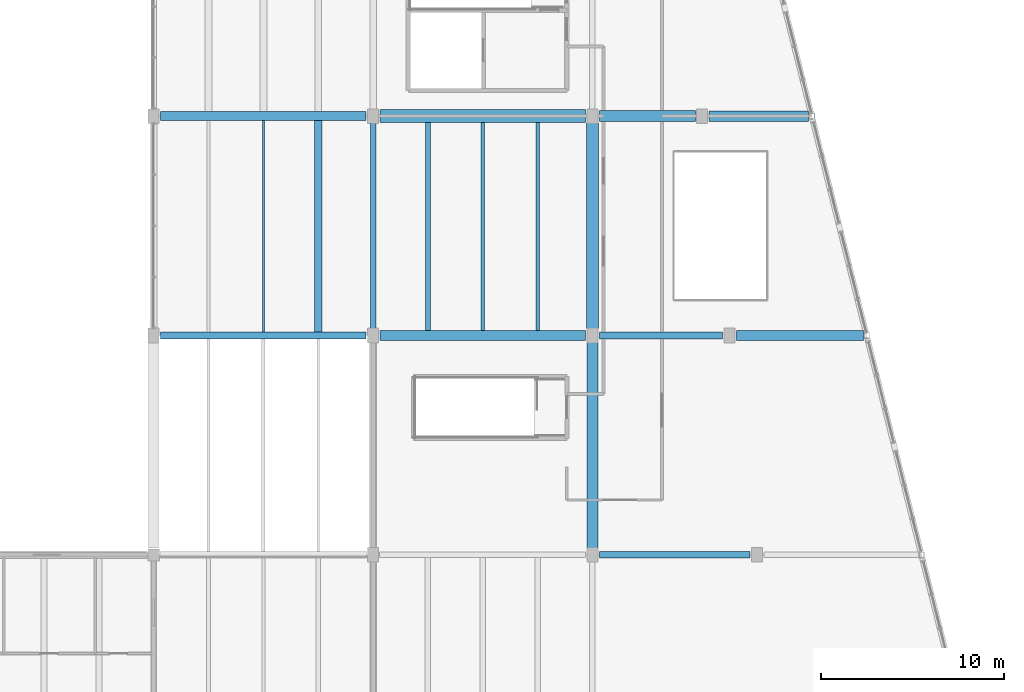
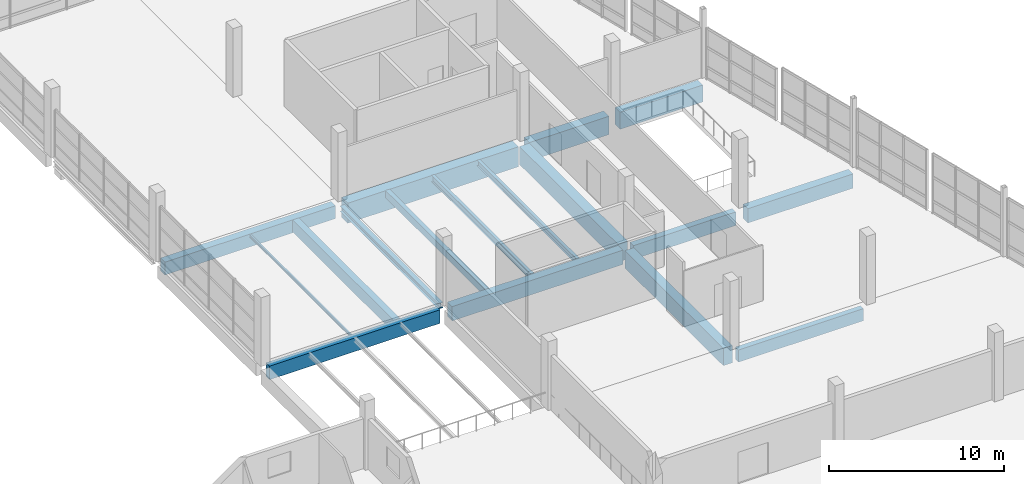
# One storey, part 19 of 49: 17 beams.
"""IFC4 building model written with IfcOpenShell, lengths in metres."""

from ifc_helpers import new_model, si_unit, direction, frame, origin, origin_2d, place, context, subcontext, project, spatial, rectangle, i_section, extrude, material, material_profile, profile_set, type_object, element, save


model = new_model("IFC4")

# Units and contexts
model_context = context("Model", 3, precision=1e-05, world=origin(), true_north=direction((0.0, 1.0)))
body_context = subcontext(model_context, "Body", "Model", "MODEL_VIEW")
ifc_project = project(units=[si_unit("LENGTHUNIT", "METRE"), si_unit("AREAUNIT", "SQUARE_METRE"), si_unit("VOLUMEUNIT", "CUBIC_METRE"), si_unit("PLANEANGLEUNIT", "RADIAN"), si_unit("MASSUNIT", "GRAM", prefix="KILO")], contexts=[model_context])

# Site, building, storey
site_placement = place(None, origin())
site = spatial("IfcSite", under=ifc_project, at=site_placement, CompositionType="ELEMENT")
building_placement = place(site_placement, origin())
building = spatial("IfcBuilding", under=site, at=building_placement, Name="Kamomehara Wholesale Market", CompositionType="ELEMENT")
storey_placement = place(building_placement, frame((0.0, 0.0, 11.39990234375)))
storey = spatial("IfcBuildingStorey", under=building, at=storey_placement, Name="L02", CompositionType="ELEMENT", Elevation=11.39990234375)

# Beams
ifc_material_1 = material(Name="Precast concrete Fc45 (C40/50)", Category="concrete")
ifc_material_profile_1 = material_profile(ifc_material_1, rectangle(XDim=0.580078125, YDim=1.179931640625, at=origin_2d()), Name="PC-GRD-580x1180")
ifc_profile_set_1 = profile_set([ifc_material_profile_1], Name="Precast concrete Fc45 (C40/50)")
beam_type_1 = type_object("IfcBeamType", Name="BM-PG1180", PredefinedType="T_BEAM", material=ifc_profile_set_1)
beam_1_placement = place(storey_placement, frame((186.375, 72.0, -0.94189453125), z_axis=(1.0, 0.0, 0.0), x_axis=(0.0, 1.0, 0.0)))
element("IfcBeam", 1, at=beam_1_placement, inside=storey, type_object=beam_type_1, Name="Beam PG-14 L02", PredefinedType="T_BEAM", context=body_context, shape_type="SweptSolid", body=[
    extrude(rectangle(XDim=0.580078125, YDim=1.179931640625, at=origin_2d()), origin(), (0.0, 0.0, 1.0), 5.447021484375),
])
ifc_material_2 = material(Name="Precast concrete Fc45 (C40/50)", Category="concrete")
ifc_material_profile_2 = material_profile(ifc_material_2, rectangle(XDim=0.60009765625, YDim=1.199951171875, at=origin_2d()), Name="PC-GRD-600x1200")
ifc_profile_set_2 = profile_set([ifc_material_profile_2], Name="Precast concrete Fc45 (C40/50)")
beam_type_2 = type_object("IfcBeamType", Name="BM-PG1200", PredefinedType="T_BEAM", material=ifc_profile_set_2)
beam_2_placement = place(storey_placement, frame((180.0, 48.375, -0.931884765625), z_axis=(0.0, 1.0, 0.0), x_axis=(-1.0, 0.0, 0.0)))
element("IfcBeam", 2, at=beam_2_placement, inside=storey, type_object=beam_type_2, Name="Beam PG-05 L02", PredefinedType="T_BEAM", context=body_context, shape_type="SweptSolid", body=[
    extrude(rectangle(XDim=0.60009765625, YDim=1.199951171875, at=origin_2d()), origin(), (0.0, 0.0, 1.0), 11.25),
])
ifc_material_3 = material(Name="Precast concrete Fc45 (C40/50)", Category="concrete")
ifc_material_profile_3 = material_profile(ifc_material_3, rectangle(XDim=0.64990234375, YDim=1.25, at=origin_2d()), Name="PC-GRD-650x1250")
ifc_profile_set_3 = profile_set([ifc_material_profile_3], Name="Precast concrete Fc45 (C40/50)")
beam_type_3 = type_object("IfcBeamType", Name="BM-PG1250", PredefinedType="T_BEAM", material=ifc_profile_set_3)
beam_3_placement = place(storey_placement, frame((180.0, 60.375, -0.956787109375), z_axis=(0.0, 1.0, 0.0), x_axis=(-1.0, 0.0, 0.0)))
element("IfcBeam", 3, at=beam_3_placement, inside=storey, type_object=beam_type_3, Name="Beam PG-04 L02", PredefinedType="T_BEAM", context=body_context, shape_type="SweptSolid", body=[
    extrude(rectangle(XDim=0.64990234375, YDim=1.25, at=origin_2d()), origin(), (0.0, 0.0, 1.0), 11.25),
])
ifc_material_4 = material(Name="Precast concrete Fc45 (C40/50)", Category="concrete")
ifc_material_profile_4 = material_profile(ifc_material_4, rectangle(XDim=0.6201171875, YDim=1.280029296875, at=origin_2d()), Name="PC-GRD-620x1280")
ifc_profile_set_4 = profile_set([ifc_material_profile_4], Name="Precast concrete Fc45 (C40/50)")
beam_type_4 = type_object("IfcBeamType", Name="BM-PG1280", PredefinedType="T_BEAM", material=ifc_profile_set_4)
beam_4_placement = place(storey_placement, frame((180.375, 72.0, -0.991943359375), z_axis=(1.0, 0.0, 0.0), x_axis=(0.0, 1.0, 0.0)))
element("IfcBeam", 4, at=beam_4_placement, inside=storey, type_object=beam_type_4, Name="Beam PG-13 L02", PredefinedType="T_BEAM", context=body_context, shape_type="SweptSolid", body=[
    extrude(rectangle(XDim=0.6201171875, YDim=1.280029296875, at=origin_2d()), origin(), (0.0, 0.0, 1.0), 5.25),
])
ifc_material_5 = material(Name="Precast concrete Fc45 (C40/50)", Category="concrete")
ifc_material_profile_5 = material_profile(ifc_material_5, rectangle(XDim=0.699951171875, YDim=1.39990234375, at=origin_2d()), Name="PC-GRD-700x1400")
ifc_profile_set_5 = profile_set([ifc_material_profile_5], Name="Precast concrete Fc45 (C40/50)")
beam_type_5 = type_object("IfcBeamType", Name="BM-PG1400", PredefinedType="T_BEAM", material=ifc_profile_set_5)
beam_5_placement = place(storey_placement, frame((168.375, 72.0, -1.052001953125), z_axis=(1.0, 0.0, 0.0), x_axis=(0.0, 1.0, 0.0)))
element("IfcBeam", 5, at=beam_5_placement, inside=storey, type_object=beam_type_5, Name="Beam PG-02 L02", PredefinedType="T_BEAM", context=body_context, shape_type="SweptSolid", body=[
    extrude(rectangle(XDim=0.699951171875, YDim=1.39990234375, at=origin_2d()), origin(), (0.0, 0.0, 1.0), 11.25),
])
ifc_material_6 = material(Name="Precast concrete Fc45 (C40/50)", Category="concrete")
ifc_material_profile_6 = material_profile(ifc_material_6, rectangle(XDim=0.5, YDim=0.89990234375, at=origin_2d()), Name="PC-GRD-500x900")
ifc_profile_set_6 = profile_set([ifc_material_profile_6], Name="Precast concrete Fc45 (C40/50)")
beam_type_6 = type_object("IfcBeamType", Name="BM-PG900", PredefinedType="T_BEAM", material=ifc_profile_set_6)
beam_6_placement = place(storey_placement, frame((156.375, 72.0, -0.77197265625), z_axis=(1.0, 0.0, 0.0), x_axis=(0.0, 1.0, 0.0)))
element("IfcBeam", 6, at=beam_6_placement, inside=storey, type_object=beam_type_6, Name="Beam PG-10 L02", PredefinedType="T_BEAM", context=body_context, shape_type="SweptSolid", body=[
    extrude(rectangle(XDim=0.5, YDim=0.89990234375, at=origin_2d()), origin(), (0.0, 0.0, 1.0), 11.25),
])
ifc_material_7 = material(Name="Precast concrete Fc45 (C40/50)", Category="concrete")
ifc_material_profile_7 = material_profile(ifc_material_7, rectangle(XDim=0.280029296875, YDim=0.5, at=origin_2d()), Name="PC-JST-280x500")
ifc_profile_set_7 = profile_set([ifc_material_profile_7], Name="Precast concrete Fc45 (C40/50)")
beam_type_7 = type_object("IfcBeamType", Name="BM-PJ500", PredefinedType="JOIST", material=ifc_profile_set_7)
beam_7_placement = place(storey_placement, frame((171.0, 60.27490234375, -0.581787109375), z_axis=(0.0, 1.0, 0.0), x_axis=(-1.0, 0.0, 0.0)))
element("IfcBeam", 7, at=beam_7_placement, inside=storey, type_object=beam_type_7, Name="Beam PJ-11 L02", PredefinedType="JOIST", context=body_context, shape_type="SweptSolid", body=[
    extrude(rectangle(XDim=0.280029296875, YDim=0.5, at=origin_2d()), origin(), (0.0, 0.0, 1.0), 11.375),
])
ifc_material_8 = material(Name="Precast concrete Fc45 (C40/50)", Category="concrete")
ifc_material_profile_8 = material_profile(ifc_material_8, rectangle(XDim=0.419921875, YDim=0.840087890625, at=origin_2d()), Name="PC-JST-420x840")
ifc_profile_set_8 = profile_set([ifc_material_profile_8], Name="Precast concrete Fc45 (C40/50)")
beam_type_8 = type_object("IfcBeamType", Name="BM-PJ840", PredefinedType="JOIST", material=ifc_profile_set_8)
beam_8_placement = place(storey_placement, frame((165.0, 60.199951171875, -0.741943359375), z_axis=(0.0, 1.0, 0.0), x_axis=(-1.0, 0.0, 0.0)))
element("IfcBeam", 8, at=beam_8_placement, inside=storey, type_object=beam_type_8, Name="Beam PJ-07 L02", PredefinedType="JOIST", context=body_context, shape_type="SweptSolid", body=[
    extrude(rectangle(XDim=0.419921875, YDim=0.840087890625, at=origin_2d()), origin(), (0.0, 0.0, 1.0), 11.550048828125),
])
ifc_material_9 = material(Name="Concrete Fc36 (C35/45)", Category="concrete")
ifc_material_profile_9 = material_profile(ifc_material_9, rectangle(XDim=0.550048828125, YDim=1.0, at=origin_2d()), Name="RC-SEB-550x1000")
ifc_profile_set_9 = profile_set([ifc_material_profile_9], Name="Concrete Fc36 (C35/45)")
beam_type_9 = type_object("IfcBeamType", Name="BM-SEB1000-EXT", PredefinedType="SPANDREL", material=ifc_profile_set_9)
beam_9_placement = place(storey_placement, frame((168.375, 60.0, -0.831787109375), z_axis=(1.0, 0.0, 0.0), x_axis=(0.0, 1.0, 0.0)))
element("IfcBeam", 9, at=beam_9_placement, inside=storey, type_object=beam_type_9, Name="Beam SEB-03E L02", PredefinedType="SPANDREL", context=body_context, shape_type="SweptSolid", body=[
    extrude(rectangle(XDim=0.550048828125, YDim=1.0, at=origin_2d()), origin(), (0.0, 0.0, 1.0), 11.25),
])
beam_10_placement = place(storey_placement, frame((187.875, 60.0, -0.831787109375), z_axis=(1.0, 0.0, 0.0), x_axis=(0.0, 1.0, 0.0)))
element("IfcBeam", 10, at=beam_10_placement, inside=storey, type_object=beam_type_9, Name="Beam SEB-03E L02", PredefinedType="SPANDREL", context=body_context, shape_type="SweptSolid", body=[
    extrude(rectangle(XDim=0.550048828125, YDim=1.0, at=origin_2d()), origin(), (0.0, 0.0, 1.0), 6.947021484375),
])
ifc_material_10 = material(Name="Precast concrete Fc45 (C40/50)", Category="concrete")
ifc_material_profile_10 = material_profile(ifc_material_10, rectangle(XDim=0.35009765625, YDim=0.85009765625, at=origin_2d()), Name="PC-SPN-350x850")
ifc_profile_set_10 = profile_set([ifc_material_profile_10], Name="Precast concrete Fc45 (C40/50)")
beam_type_10 = type_object("IfcBeamType", Name="BM-SPN850-EXT", PredefinedType="SPANDREL", material=ifc_profile_set_10)
beam_11_placement = place(storey_placement, frame((180.375, 48.0, -0.766845703125), z_axis=(1.0, 0.0, 0.0), x_axis=(0.0, 1.0, 0.0)))
element("IfcBeam", 11, at=beam_11_placement, inside=storey, type_object=beam_type_10, Name="Beam SPN-02E L02", PredefinedType="SPANDREL", context=body_context, shape_type="SweptSolid", body=[
    extrude(rectangle(XDim=0.35009765625, YDim=0.85009765625, at=origin_2d()), origin(), (0.0, 0.0, 1.0), 8.25),
])
ifc_material_11 = material(Name="Precast concrete Fc45 (C40/50)", Category="concrete")
ifc_material_profile_11 = material_profile(ifc_material_11, rectangle(XDim=0.39990234375, YDim=0.949951171875, at=origin_2d()), Name="PC-SPN-400x950")
ifc_profile_set_11 = profile_set([ifc_material_profile_11], Name="Precast concrete Fc45 (C40/50)")
beam_type_11 = type_object("IfcBeamType", Name="BM-SPN950-EXT", PredefinedType="SPANDREL", material=ifc_profile_set_11)
beam_12_placement = place(storey_placement, frame((156.375, 60.0, -0.796875), z_axis=(1.0, 0.0, 0.0), x_axis=(0.0, 1.0, 0.0)))
element("IfcBeam", 12, at=beam_12_placement, inside=storey, type_object=beam_type_11, Name="Beam SPN-01E L02", PredefinedType="SPANDREL", context=body_context, shape_type="SweptSolid", body=[
    extrude(rectangle(XDim=0.39990234375, YDim=0.949951171875, at=origin_2d()), origin(), (0.0, 0.0, 1.0), 11.25),
])
beam_13_placement = place(storey_placement, frame((180.375, 60.0, -0.806884765625), z_axis=(1.0, 0.0, 0.0), x_axis=(0.0, 1.0, 0.0)))
element("IfcBeam", 13, at=beam_13_placement, inside=storey, type_object=beam_type_11, Name="Beam SPN-01E L02", PredefinedType="SPANDREL", context=body_context, shape_type="SweptSolid", body=[
    extrude(rectangle(XDim=0.39990234375, YDim=0.949951171875, at=origin_2d()), origin(), (0.0, 0.0, 1.0), 6.75),
])
ifc_material_12 = material(Name="Steel SN400B", Category="steel")
ifc_material_profile_12 = material_profile(ifc_material_12, i_section(OverallWidth=0.10009765625, OverallDepth=0.199951171875, WebThickness=0.005615234375, FlangeThickness=0.008056640625, FilletRadius=0.008056640625, at=origin_2d()), Name="H-200x100x5.5x8")
ifc_profile_set_12 = profile_set([ifc_material_profile_12], Name="Steel SN400B")
beam_type_12 = type_object("IfcBeamType", Name="BM-ST-H200", PredefinedType="LINTEL", material=ifc_profile_set_12)
beam_14_placement = place(storey_placement, frame((162.0, 60.199951171875, -0.421875), z_axis=(0.0, 1.0, 0.0), x_axis=(-1.0, 0.0, 0.0)))
element("IfcBeam", 14, at=beam_14_placement, inside=storey, type_object=beam_type_12, Name="Beam SJ-07 L02", PredefinedType="LINTEL", context=body_context, shape_type="SweptSolid", body=[
    extrude(i_section(OverallWidth=0.10009765625, OverallDepth=0.199951171875, WebThickness=0.005615234375, FlangeThickness=0.008056640625, FilletRadius=0.008056640625, at=origin_2d()), origin(), (0.0, 0.0, 1.0), 11.550048828125),
])
ifc_material_13 = material(Name="Steel SN490B", Category="steel")
ifc_material_profile_13 = material_profile(ifc_material_13, i_section(OverallWidth=0.300048828125, OverallDepth=0.389892578125, WebThickness=0.010009765625, FlangeThickness=0.01611328125, FilletRadius=0.01806640625, at=origin_2d()), Name="H-390x300x10x16")
ifc_profile_set_13 = profile_set([ifc_material_profile_13], Name="Steel SN490B")
beam_type_13 = type_object("IfcBeamType", Name="BM-ST-H390-EXT", PredefinedType="SPANDREL", material=ifc_profile_set_13)
beam_15_placement = place(storey_placement, frame((168.0, 60.375, -0.52685546875), z_axis=(0.0, 1.0, 0.0), x_axis=(-1.0, 0.0, 0.0)))
element("IfcBeam", 15, at=beam_15_placement, inside=storey, type_object=beam_type_13, Name="Beam SJ-03E L02", PredefinedType="SPANDREL", context=body_context, shape_type="SweptSolid", body=[
    extrude(i_section(OverallWidth=0.300048828125, OverallDepth=0.389892578125, WebThickness=0.010009765625, FlangeThickness=0.01611328125, FilletRadius=0.01806640625, at=origin_2d()), origin(), (0.0, 0.0, 1.0), 11.25),
])
ifc_material_14 = material(Name="Steel SN400B", Category="steel")
ifc_material_profile_14 = material_profile(ifc_material_14, i_section(OverallWidth=0.199951171875, OverallDepth=0.39990234375, WebThickness=0.008056640625, FlangeThickness=0.012939453125, FilletRadius=0.012939453125, at=origin_2d()), Name="H-400x200x8x13")
ifc_profile_set_14 = profile_set([ifc_material_profile_14], Name="Steel SN400B")
beam_type_14 = type_object("IfcBeamType", Name="BM-ST-H400", PredefinedType="JOIST", material=ifc_profile_set_14)
beam_16_placement = place(storey_placement, frame((177.0, 60.27490234375, -0.531982421875), z_axis=(0.0, 1.0, 0.0), x_axis=(-1.0, 0.0, 0.0)))
element("IfcBeam", 16, at=beam_16_placement, inside=storey, type_object=beam_type_14, Name="Beam SJ-02 L02", PredefinedType="JOIST", context=body_context, shape_type="SweptSolid", body=[
    extrude(i_section(OverallWidth=0.199951171875, OverallDepth=0.39990234375, WebThickness=0.008056640625, FlangeThickness=0.012939453125, FilletRadius=0.012939453125, at=origin_2d()), origin(), (0.0, 0.0, 1.0), 11.375),
])
ifc_material_15 = material(Name="Steel SN400B", Category="steel")
ifc_material_profile_15 = material_profile(ifc_material_15, i_section(OverallWidth=0.199951171875, OverallDepth=0.449951171875, WebThickness=0.009033203125, FlangeThickness=0.013916015625, FilletRadius=0.012939453125, at=origin_2d()), Name="H-450x200x9x14")
ifc_profile_set_15 = profile_set([ifc_material_profile_15], Name="Steel SN400B")
beam_type_15 = type_object("IfcBeamType", Name="BM-ST-H450", PredefinedType="JOIST", material=ifc_profile_set_15)
beam_17_placement = place(storey_placement, frame((174.0, 60.27490234375, -0.556884765625), z_axis=(0.0, 1.0, 0.0), x_axis=(-1.0, 0.0, 0.0)))
element("IfcBeam", 17, at=beam_17_placement, inside=storey, type_object=beam_type_15, Name="Beam SJ-01 L02", PredefinedType="JOIST", context=body_context, shape_type="SweptSolid", body=[
    extrude(i_section(OverallWidth=0.199951171875, OverallDepth=0.449951171875, WebThickness=0.009033203125, FlangeThickness=0.013916015625, FilletRadius=0.012939453125, at=origin_2d()), origin(), (0.0, 0.0, 1.0), 11.375),
])

save(model, "model.ifc")
